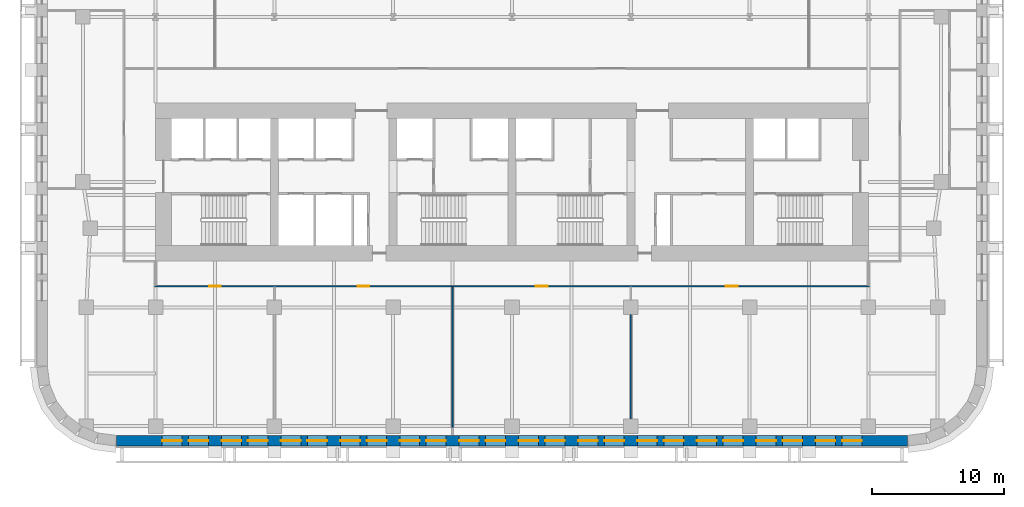
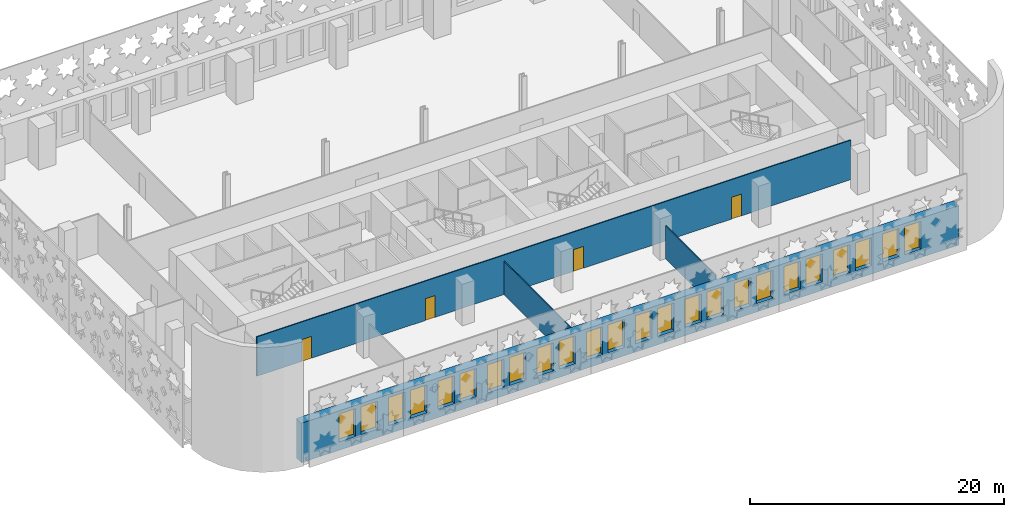
# One storey, part 4 of 13: 24 windows, 4 doors, 4 walls, 28 openings.
"""IFC4 building model written with IfcOpenShell, lengths in metres."""

from ifc_helpers import new_model, si_unit, direction, frame, frame_2d, origin, place, context, subcontext, project, spatial, rectangle, extrude, material, layer, layer_set, type_object, element, fill, save


model = new_model("IFC4")

# Units and contexts
model_context = context("Model", 3, precision=1e-05, world=origin(), true_north=direction((0.0, 1.0)))
body_context = subcontext(model_context, "Body", "Model", "MODEL_VIEW")
ifc_project = project(units=[si_unit("LENGTHUNIT", "METRE"), si_unit("AREAUNIT", "SQUARE_METRE"), si_unit("VOLUMEUNIT", "CUBIC_METRE"), si_unit("PLANEANGLEUNIT", "RADIAN"), si_unit("MASSUNIT", "GRAM", prefix="KILO")], contexts=[model_context])

# Site, building, storey
site_placement = place(None, origin())
site = spatial("IfcSite", under=ifc_project, at=site_placement, CompositionType="ELEMENT")
building_placement = place(site_placement, origin())
building = spatial("IfcBuilding", under=site, at=building_placement, Name="Zellij Exchange Tower", CompositionType="ELEMENT")
storey_placement = place(building_placement, frame((0.0, 0.0, 52.5)))
storey = spatial("IfcBuildingStorey", under=building, at=storey_placement, Name="L09", CompositionType="ELEMENT", Elevation=52.5)

# Wall, openings, windows
ifc_material_1 = material(Name="Precast concrete C40/50", Category="concrete")
ifc_layer_1 = layer(ifc_material_1, 0.800048828125)
ifc_layer_set_1 = layer_set([ifc_layer_1], Name="Precast concrete C40/50")
wall_type_1 = type_object("IfcWallType", Name="ENV-EW1 Precast stone-piered wall 800", PredefinedType="SOLIDWALL", material=ifc_layer_set_1)
wall_1_placement = place(storey_placement, frame((-29.947509765625, -27.60009765625, 0.0), z_axis=(0.0, 0.0, 1.0), x_axis=(1.0, 0.0, 0.0)))
wall_1 = element("IfcWall", 1, at=wall_1_placement, inside=storey, type_object=wall_type_1, Name="fac.L09.00", PredefinedType="SOLIDWALL", context=body_context, shape_type="SweptSolid", body=[
    extrude(rectangle(XDim=59.89501953125, YDim=0.800048828125, at=frame_2d((29.947509765625, 0.0))), origin(), (0.0, 0.0, 1.0), 3.800048828125),
])
opening_1_placement = place(wall_1_placement, frame((3.447509765625, 0.0, 0.800048828125)))
opening_1 = element("IfcOpeningElement", 2, at=opening_1_placement, cuts=wall_1, Name="Opening FZ1.01", PredefinedType="OPENING", context=body_context, shape_type="SweptSolid", body=[
    extrude(rectangle(XDim=1.5, YDim=2.699951171875, at=frame_2d((0.75, 1.35009765625))), frame((0.0, 0.412109375, 0.0), z_axis=(0.0, -1.0, 0.0), x_axis=(1.0, 0.0, 0.0)), (0.0, 0.0, 1.0), 0.823974609375),
])
opening_2_placement = place(wall_1_placement, frame((5.447509765625, 0.0, 0.800048828125)))
opening_2 = element("IfcOpeningElement", 3, at=opening_2_placement, cuts=wall_1, Name="Opening FZ1.02", PredefinedType="OPENING", context=body_context, shape_type="SweptSolid", body=[
    extrude(rectangle(XDim=1.5, YDim=2.699951171875, at=frame_2d((0.75, 1.35009765625))), frame((0.0, 0.412109375, 0.0), z_axis=(0.0, -1.0, 0.0), x_axis=(1.0, 0.0, 0.0)), (0.0, 0.0, 1.0), 0.823974609375),
])
opening_3_placement = place(wall_1_placement, frame((7.947509765625, 0.0, 0.800048828125)))
opening_3 = element("IfcOpeningElement", 4, at=opening_3_placement, cuts=wall_1, Name="Opening FZ1.03", PredefinedType="OPENING", context=body_context, shape_type="SweptSolid", body=[
    extrude(rectangle(XDim=1.5, YDim=2.699951171875, at=frame_2d((0.75, 1.35009765625))), frame((0.0, 0.412109375, 0.0), z_axis=(0.0, -1.0, 0.0), x_axis=(1.0, 0.0, 0.0)), (0.0, 0.0, 1.0), 0.823974609375),
])
opening_4_placement = place(wall_1_placement, frame((9.947509765625, 0.0, 0.800048828125)))
opening_4 = element("IfcOpeningElement", 5, at=opening_4_placement, cuts=wall_1, Name="Opening FZ1.04", PredefinedType="OPENING", context=body_context, shape_type="SweptSolid", body=[
    extrude(rectangle(XDim=1.5, YDim=2.699951171875, at=frame_2d((0.75, 1.35009765625))), frame((0.0, 0.412109375, 0.0), z_axis=(0.0, -1.0, 0.0), x_axis=(1.0, 0.0, 0.0)), (0.0, 0.0, 1.0), 0.823974609375),
])
opening_5_placement = place(wall_1_placement, frame((12.447509765625, 0.0, 0.800048828125)))
opening_5 = element("IfcOpeningElement", 6, at=opening_5_placement, cuts=wall_1, Name="Opening FZ1.05", PredefinedType="OPENING", context=body_context, shape_type="SweptSolid", body=[
    extrude(rectangle(XDim=1.5, YDim=2.699951171875, at=frame_2d((0.75, 1.35009765625))), frame((0.0, 0.412109375, 0.0), z_axis=(0.0, -1.0, 0.0), x_axis=(1.0, 0.0, 0.0)), (0.0, 0.0, 1.0), 0.823974609375),
])
opening_6_placement = place(wall_1_placement, frame((14.447509765625, 0.0, 0.800048828125)))
opening_6 = element("IfcOpeningElement", 7, at=opening_6_placement, cuts=wall_1, Name="Opening FZ1.06", PredefinedType="OPENING", context=body_context, shape_type="SweptSolid", body=[
    extrude(rectangle(XDim=1.5, YDim=2.699951171875, at=frame_2d((0.75, 1.35009765625))), frame((0.0, 0.412109375, 0.0), z_axis=(0.0, -1.0, 0.0), x_axis=(1.0, 0.0, 0.0)), (0.0, 0.0, 1.0), 0.823974609375),
])
opening_7_placement = place(wall_1_placement, frame((16.947509765625, 0.0, 0.800048828125)))
opening_7 = element("IfcOpeningElement", 8, at=opening_7_placement, cuts=wall_1, Name="Opening FZ1.07", PredefinedType="OPENING", context=body_context, shape_type="SweptSolid", body=[
    extrude(rectangle(XDim=1.5, YDim=2.699951171875, at=frame_2d((0.75, 1.35009765625))), frame((0.0, 0.412109375, 0.0), z_axis=(0.0, -1.0, 0.0), x_axis=(1.0, 0.0, 0.0)), (0.0, 0.0, 1.0), 0.823974609375),
])
opening_8_placement = place(wall_1_placement, frame((18.947509765625, 0.0, 0.800048828125)))
opening_8 = element("IfcOpeningElement", 9, at=opening_8_placement, cuts=wall_1, Name="Opening FZ1.08", PredefinedType="OPENING", context=body_context, shape_type="SweptSolid", body=[
    extrude(rectangle(XDim=1.5, YDim=2.699951171875, at=frame_2d((0.75, 1.35009765625))), frame((0.0, 0.412109375, 0.0), z_axis=(0.0, -1.0, 0.0), x_axis=(1.0, 0.0, 0.0)), (0.0, 0.0, 1.0), 0.823974609375),
])
opening_9_placement = place(wall_1_placement, frame((21.447509765625, 0.0, 0.800048828125)))
opening_9 = element("IfcOpeningElement", 10, at=opening_9_placement, cuts=wall_1, Name="Opening FZ1.09", PredefinedType="OPENING", context=body_context, shape_type="SweptSolid", body=[
    extrude(rectangle(XDim=1.5, YDim=2.699951171875, at=frame_2d((0.75, 1.35009765625))), frame((0.0, 0.412109375, 0.0), z_axis=(0.0, -1.0, 0.0), x_axis=(1.0, 0.0, 0.0)), (0.0, 0.0, 1.0), 0.823974609375),
])
opening_10_placement = place(wall_1_placement, frame((23.447509765625, 0.0, 0.800048828125)))
opening_10 = element("IfcOpeningElement", 11, at=opening_10_placement, cuts=wall_1, Name="Opening FZ1.10", PredefinedType="OPENING", context=body_context, shape_type="SweptSolid", body=[
    extrude(rectangle(XDim=1.5, YDim=2.699951171875, at=frame_2d((0.75, 1.35009765625))), frame((0.0, 0.412109375, 0.0), z_axis=(0.0, -1.0, 0.0), x_axis=(1.0, 0.0, 0.0)), (0.0, 0.0, 1.0), 0.823974609375),
])
opening_11_placement = place(wall_1_placement, frame((25.947509765625, 0.0, 0.800048828125)))
opening_11 = element("IfcOpeningElement", 12, at=opening_11_placement, cuts=wall_1, Name="Opening FZ1.11", PredefinedType="OPENING", context=body_context, shape_type="SweptSolid", body=[
    extrude(rectangle(XDim=1.5, YDim=2.699951171875, at=frame_2d((0.75, 1.35009765625))), frame((0.0, 0.412109375, 0.0), z_axis=(0.0, -1.0, 0.0), x_axis=(1.0, 0.0, 0.0)), (0.0, 0.0, 1.0), 0.823974609375),
])
opening_12_placement = place(wall_1_placement, frame((27.947509765625, 0.0, 0.800048828125)))
opening_12 = element("IfcOpeningElement", 13, at=opening_12_placement, cuts=wall_1, Name="Opening FZ1.12", PredefinedType="OPENING", context=body_context, shape_type="SweptSolid", body=[
    extrude(rectangle(XDim=1.5, YDim=2.699951171875, at=frame_2d((0.75, 1.35009765625))), frame((0.0, 0.412109375, 0.0), z_axis=(0.0, -1.0, 0.0), x_axis=(1.0, 0.0, 0.0)), (0.0, 0.0, 1.0), 0.823974609375),
])
opening_13_placement = place(wall_1_placement, frame((30.447509765625, 0.0, 0.800048828125)))
opening_13 = element("IfcOpeningElement", 14, at=opening_13_placement, cuts=wall_1, Name="Opening FZ1.13", PredefinedType="OPENING", context=body_context, shape_type="SweptSolid", body=[
    extrude(rectangle(XDim=1.5, YDim=2.699951171875, at=frame_2d((0.75, 1.35009765625))), frame((0.0, 0.412109375, 0.0), z_axis=(0.0, -1.0, 0.0), x_axis=(1.0, 0.0, 0.0)), (0.0, 0.0, 1.0), 0.823974609375),
])
opening_14_placement = place(wall_1_placement, frame((32.447509765625, 0.0, 0.800048828125)))
opening_14 = element("IfcOpeningElement", 15, at=opening_14_placement, cuts=wall_1, Name="Opening FZ1.14", PredefinedType="OPENING", context=body_context, shape_type="SweptSolid", body=[
    extrude(rectangle(XDim=1.5, YDim=2.699951171875, at=frame_2d((0.75, 1.35009765625))), frame((0.0, 0.412109375, 0.0), z_axis=(0.0, -1.0, 0.0), x_axis=(1.0, 0.0, 0.0)), (0.0, 0.0, 1.0), 0.823974609375),
])
opening_15_placement = place(wall_1_placement, frame((34.947509765625, 0.0, 0.800048828125)))
opening_15 = element("IfcOpeningElement", 16, at=opening_15_placement, cuts=wall_1, Name="Opening FZ1.15", PredefinedType="OPENING", context=body_context, shape_type="SweptSolid", body=[
    extrude(rectangle(XDim=1.5, YDim=2.699951171875, at=frame_2d((0.75, 1.35009765625))), frame((0.0, 0.412109375, 0.0), z_axis=(0.0, -1.0, 0.0), x_axis=(1.0, 0.0, 0.0)), (0.0, 0.0, 1.0), 0.823974609375),
])
opening_16_placement = place(wall_1_placement, frame((36.947509765625, 0.0, 0.800048828125)))
opening_16 = element("IfcOpeningElement", 17, at=opening_16_placement, cuts=wall_1, Name="Opening FZ1.16", PredefinedType="OPENING", context=body_context, shape_type="SweptSolid", body=[
    extrude(rectangle(XDim=1.5, YDim=2.699951171875, at=frame_2d((0.75, 1.35009765625))), frame((0.0, 0.412109375, 0.0), z_axis=(0.0, -1.0, 0.0), x_axis=(1.0, 0.0, 0.0)), (0.0, 0.0, 1.0), 0.823974609375),
])
opening_17_placement = place(wall_1_placement, frame((39.447509765625, 0.0, 0.800048828125)))
opening_17 = element("IfcOpeningElement", 18, at=opening_17_placement, cuts=wall_1, Name="Opening FZ1.17", PredefinedType="OPENING", context=body_context, shape_type="SweptSolid", body=[
    extrude(rectangle(XDim=1.5, YDim=2.699951171875, at=frame_2d((0.75, 1.35009765625))), frame((0.0, 0.412109375, 0.0), z_axis=(0.0, -1.0, 0.0), x_axis=(1.0, 0.0, 0.0)), (0.0, 0.0, 1.0), 0.823974609375),
])
opening_18_placement = place(wall_1_placement, frame((41.447509765625, 0.0, 0.800048828125)))
opening_18 = element("IfcOpeningElement", 19, at=opening_18_placement, cuts=wall_1, Name="Opening FZ1.18", PredefinedType="OPENING", context=body_context, shape_type="SweptSolid", body=[
    extrude(rectangle(XDim=1.5, YDim=2.699951171875, at=frame_2d((0.75, 1.35009765625))), frame((0.0, 0.412109375, 0.0), z_axis=(0.0, -1.0, 0.0), x_axis=(1.0, 0.0, 0.0)), (0.0, 0.0, 1.0), 0.823974609375),
])
opening_19_placement = place(wall_1_placement, frame((43.947509765625, 0.0, 0.800048828125)))
opening_19 = element("IfcOpeningElement", 20, at=opening_19_placement, cuts=wall_1, Name="Opening FZ1.19", PredefinedType="OPENING", context=body_context, shape_type="SweptSolid", body=[
    extrude(rectangle(XDim=1.5, YDim=2.699951171875, at=frame_2d((0.75, 1.35009765625))), frame((0.0, 0.412109375, 0.0), z_axis=(0.0, -1.0, 0.0), x_axis=(1.0, 0.0, 0.0)), (0.0, 0.0, 1.0), 0.823974609375),
])
opening_20_placement = place(wall_1_placement, frame((45.947509765625, 0.0, 0.800048828125)))
opening_20 = element("IfcOpeningElement", 21, at=opening_20_placement, cuts=wall_1, Name="Opening FZ1.20", PredefinedType="OPENING", context=body_context, shape_type="SweptSolid", body=[
    extrude(rectangle(XDim=1.5, YDim=2.699951171875, at=frame_2d((0.75, 1.35009765625))), frame((0.0, 0.412109375, 0.0), z_axis=(0.0, -1.0, 0.0), x_axis=(1.0, 0.0, 0.0)), (0.0, 0.0, 1.0), 0.823974609375),
])
opening_21_placement = place(wall_1_placement, frame((48.447509765625, 0.0, 0.800048828125)))
opening_21 = element("IfcOpeningElement", 22, at=opening_21_placement, cuts=wall_1, Name="Opening FZ1.21", PredefinedType="OPENING", context=body_context, shape_type="SweptSolid", body=[
    extrude(rectangle(XDim=1.5, YDim=2.699951171875, at=frame_2d((0.75, 1.35009765625))), frame((0.0, 0.412109375, 0.0), z_axis=(0.0, -1.0, 0.0), x_axis=(1.0, 0.0, 0.0)), (0.0, 0.0, 1.0), 0.823974609375),
])
opening_22_placement = place(wall_1_placement, frame((50.447509765625, 0.0, 0.800048828125)))
opening_22 = element("IfcOpeningElement", 23, at=opening_22_placement, cuts=wall_1, Name="Opening FZ1.22", PredefinedType="OPENING", context=body_context, shape_type="SweptSolid", body=[
    extrude(rectangle(XDim=1.5, YDim=2.699951171875, at=frame_2d((0.75, 1.35009765625))), frame((0.0, 0.412109375, 0.0), z_axis=(0.0, -1.0, 0.0), x_axis=(1.0, 0.0, 0.0)), (0.0, 0.0, 1.0), 0.823974609375),
])
opening_23_placement = place(wall_1_placement, frame((52.947509765625, 0.0, 0.800048828125)))
opening_23 = element("IfcOpeningElement", 24, at=opening_23_placement, cuts=wall_1, Name="Opening FZ1.23", PredefinedType="OPENING", context=body_context, shape_type="SweptSolid", body=[
    extrude(rectangle(XDim=1.5, YDim=2.699951171875, at=frame_2d((0.75, 1.35009765625))), frame((0.0, 0.412109375, 0.0), z_axis=(0.0, -1.0, 0.0), x_axis=(1.0, 0.0, 0.0)), (0.0, 0.0, 1.0), 0.823974609375),
])
opening_24_placement = place(wall_1_placement, frame((54.947509765625, 0.0, 0.800048828125)))
opening_24 = element("IfcOpeningElement", 25, at=opening_24_placement, cuts=wall_1, Name="Opening FZ1.24", PredefinedType="OPENING", context=body_context, shape_type="SweptSolid", body=[
    extrude(rectangle(XDim=1.5, YDim=2.699951171875, at=frame_2d((0.75, 1.35009765625))), frame((0.0, 0.412109375, 0.0), z_axis=(0.0, -1.0, 0.0), x_axis=(1.0, 0.0, 0.0)), (0.0, 0.0, 1.0), 0.823974609375),
])
ifc_material_2 = material(Name="Aluminium frame with insulating glass", Category="aluminium")
window_type = type_object("IfcWindowType", Name="ENV-W6 Window 1500x2700", PartitioningType="SINGLE_PANEL", PredefinedType="WINDOW", material=ifc_material_2)
window_1_placement = place(opening_1_placement, origin())
window_1 = element("IfcWindow", 26, at=window_1_placement, inside=storey, type_object=window_type, Name="Window FZ1.01", OverallHeight=2.699951171875, OverallWidth=1.5, PartitioningType="SINGLE_PANEL", PredefinedType="WINDOW", context=body_context, shape_type="SweptSolid", body=[
    extrude(rectangle(XDim=1.5, YDim=2.699951171875, at=frame_2d((0.75, 1.35009765625))), frame((0.0, 0.030029296875, 0.0), z_axis=(0.0, -1.0, 0.0), x_axis=(1.0, 0.0, 0.0)), (0.0, 0.0, 1.0), 0.06005859375),
])
fill(opening_1, window_1)
window_2_placement = place(opening_2_placement, origin())
window_2 = element("IfcWindow", 27, at=window_2_placement, inside=storey, type_object=window_type, Name="Window FZ1.02", OverallHeight=2.699951171875, OverallWidth=1.5, PartitioningType="SINGLE_PANEL", PredefinedType="WINDOW", context=body_context, shape_type="SweptSolid", body=[
    extrude(rectangle(XDim=1.5, YDim=2.699951171875, at=frame_2d((0.75, 1.35009765625))), frame((0.0, 0.030029296875, 0.0), z_axis=(0.0, -1.0, 0.0), x_axis=(1.0, 0.0, 0.0)), (0.0, 0.0, 1.0), 0.06005859375),
])
fill(opening_2, window_2)
window_3_placement = place(opening_3_placement, origin())
window_3 = element("IfcWindow", 28, at=window_3_placement, inside=storey, type_object=window_type, Name="Window FZ1.03", OverallHeight=2.699951171875, OverallWidth=1.5, PartitioningType="SINGLE_PANEL", PredefinedType="WINDOW", context=body_context, shape_type="SweptSolid", body=[
    extrude(rectangle(XDim=1.5, YDim=2.699951171875, at=frame_2d((0.75, 1.35009765625))), frame((0.0, 0.030029296875, 0.0), z_axis=(0.0, -1.0, 0.0), x_axis=(1.0, 0.0, 0.0)), (0.0, 0.0, 1.0), 0.06005859375),
])
fill(opening_3, window_3)
window_4_placement = place(opening_4_placement, origin())
window_4 = element("IfcWindow", 29, at=window_4_placement, inside=storey, type_object=window_type, Name="Window FZ1.04", OverallHeight=2.699951171875, OverallWidth=1.5, PartitioningType="SINGLE_PANEL", PredefinedType="WINDOW", context=body_context, shape_type="SweptSolid", body=[
    extrude(rectangle(XDim=1.5, YDim=2.699951171875, at=frame_2d((0.75, 1.35009765625))), frame((0.0, 0.030029296875, 0.0), z_axis=(0.0, -1.0, 0.0), x_axis=(1.0, 0.0, 0.0)), (0.0, 0.0, 1.0), 0.06005859375),
])
fill(opening_4, window_4)
window_5_placement = place(opening_5_placement, origin())
window_5 = element("IfcWindow", 30, at=window_5_placement, inside=storey, type_object=window_type, Name="Window FZ1.05", OverallHeight=2.699951171875, OverallWidth=1.5, PartitioningType="SINGLE_PANEL", PredefinedType="WINDOW", context=body_context, shape_type="SweptSolid", body=[
    extrude(rectangle(XDim=1.5, YDim=2.699951171875, at=frame_2d((0.75, 1.35009765625))), frame((0.0, 0.030029296875, 0.0), z_axis=(0.0, -1.0, 0.0), x_axis=(1.0, 0.0, 0.0)), (0.0, 0.0, 1.0), 0.06005859375),
])
fill(opening_5, window_5)
window_6_placement = place(opening_6_placement, origin())
window_6 = element("IfcWindow", 31, at=window_6_placement, inside=storey, type_object=window_type, Name="Window FZ1.06", OverallHeight=2.699951171875, OverallWidth=1.5, PartitioningType="SINGLE_PANEL", PredefinedType="WINDOW", context=body_context, shape_type="SweptSolid", body=[
    extrude(rectangle(XDim=1.5, YDim=2.699951171875, at=frame_2d((0.75, 1.35009765625))), frame((0.0, 0.030029296875, 0.0), z_axis=(0.0, -1.0, 0.0), x_axis=(1.0, 0.0, 0.0)), (0.0, 0.0, 1.0), 0.06005859375),
])
fill(opening_6, window_6)
window_7_placement = place(opening_7_placement, origin())
window_7 = element("IfcWindow", 32, at=window_7_placement, inside=storey, type_object=window_type, Name="Window FZ1.07", OverallHeight=2.699951171875, OverallWidth=1.5, PartitioningType="SINGLE_PANEL", PredefinedType="WINDOW", context=body_context, shape_type="SweptSolid", body=[
    extrude(rectangle(XDim=1.5, YDim=2.699951171875, at=frame_2d((0.75, 1.35009765625))), frame((0.0, 0.030029296875, 0.0), z_axis=(0.0, -1.0, 0.0), x_axis=(1.0, 0.0, 0.0)), (0.0, 0.0, 1.0), 0.06005859375),
])
fill(opening_7, window_7)
window_8_placement = place(opening_8_placement, origin())
window_8 = element("IfcWindow", 33, at=window_8_placement, inside=storey, type_object=window_type, Name="Window FZ1.08", OverallHeight=2.699951171875, OverallWidth=1.5, PartitioningType="SINGLE_PANEL", PredefinedType="WINDOW", context=body_context, shape_type="SweptSolid", body=[
    extrude(rectangle(XDim=1.5, YDim=2.699951171875, at=frame_2d((0.75, 1.35009765625))), frame((0.0, 0.030029296875, 0.0), z_axis=(0.0, -1.0, 0.0), x_axis=(1.0, 0.0, 0.0)), (0.0, 0.0, 1.0), 0.06005859375),
])
fill(opening_8, window_8)
window_9_placement = place(opening_9_placement, origin())
window_9 = element("IfcWindow", 34, at=window_9_placement, inside=storey, type_object=window_type, Name="Window FZ1.09", OverallHeight=2.699951171875, OverallWidth=1.5, PartitioningType="SINGLE_PANEL", PredefinedType="WINDOW", context=body_context, shape_type="SweptSolid", body=[
    extrude(rectangle(XDim=1.5, YDim=2.699951171875, at=frame_2d((0.75, 1.35009765625))), frame((0.0, 0.030029296875, 0.0), z_axis=(0.0, -1.0, 0.0), x_axis=(1.0, 0.0, 0.0)), (0.0, 0.0, 1.0), 0.06005859375),
])
fill(opening_9, window_9)
window_10_placement = place(opening_10_placement, origin())
window_10 = element("IfcWindow", 35, at=window_10_placement, inside=storey, type_object=window_type, Name="Window FZ1.10", OverallHeight=2.699951171875, OverallWidth=1.5, PartitioningType="SINGLE_PANEL", PredefinedType="WINDOW", context=body_context, shape_type="SweptSolid", body=[
    extrude(rectangle(XDim=1.5, YDim=2.699951171875, at=frame_2d((0.75, 1.35009765625))), frame((0.0, 0.030029296875, 0.0), z_axis=(0.0, -1.0, 0.0), x_axis=(1.0, 0.0, 0.0)), (0.0, 0.0, 1.0), 0.06005859375),
])
fill(opening_10, window_10)
window_11_placement = place(opening_11_placement, origin())
window_11 = element("IfcWindow", 36, at=window_11_placement, inside=storey, type_object=window_type, Name="Window FZ1.11", OverallHeight=2.699951171875, OverallWidth=1.5, PartitioningType="SINGLE_PANEL", PredefinedType="WINDOW", context=body_context, shape_type="SweptSolid", body=[
    extrude(rectangle(XDim=1.5, YDim=2.699951171875, at=frame_2d((0.75, 1.35009765625))), frame((0.0, 0.030029296875, 0.0), z_axis=(0.0, -1.0, 0.0), x_axis=(1.0, 0.0, 0.0)), (0.0, 0.0, 1.0), 0.06005859375),
])
fill(opening_11, window_11)
window_12_placement = place(opening_12_placement, origin())
window_12 = element("IfcWindow", 37, at=window_12_placement, inside=storey, type_object=window_type, Name="Window FZ1.12", OverallHeight=2.699951171875, OverallWidth=1.5, PartitioningType="SINGLE_PANEL", PredefinedType="WINDOW", context=body_context, shape_type="SweptSolid", body=[
    extrude(rectangle(XDim=1.5, YDim=2.699951171875, at=frame_2d((0.75, 1.35009765625))), frame((0.0, 0.030029296875, 0.0), z_axis=(0.0, -1.0, 0.0), x_axis=(1.0, 0.0, 0.0)), (0.0, 0.0, 1.0), 0.06005859375),
])
fill(opening_12, window_12)
window_13_placement = place(opening_13_placement, origin())
window_13 = element("IfcWindow", 38, at=window_13_placement, inside=storey, type_object=window_type, Name="Window FZ1.13", OverallHeight=2.699951171875, OverallWidth=1.5, PartitioningType="SINGLE_PANEL", PredefinedType="WINDOW", context=body_context, shape_type="SweptSolid", body=[
    extrude(rectangle(XDim=1.5, YDim=2.699951171875, at=frame_2d((0.75, 1.35009765625))), frame((0.0, 0.030029296875, 0.0), z_axis=(0.0, -1.0, 0.0), x_axis=(1.0, 0.0, 0.0)), (0.0, 0.0, 1.0), 0.06005859375),
])
fill(opening_13, window_13)
window_14_placement = place(opening_14_placement, origin())
window_14 = element("IfcWindow", 39, at=window_14_placement, inside=storey, type_object=window_type, Name="Window FZ1.14", OverallHeight=2.699951171875, OverallWidth=1.5, PartitioningType="SINGLE_PANEL", PredefinedType="WINDOW", context=body_context, shape_type="SweptSolid", body=[
    extrude(rectangle(XDim=1.5, YDim=2.699951171875, at=frame_2d((0.75, 1.35009765625))), frame((0.0, 0.030029296875, 0.0), z_axis=(0.0, -1.0, 0.0), x_axis=(1.0, 0.0, 0.0)), (0.0, 0.0, 1.0), 0.06005859375),
])
fill(opening_14, window_14)
window_15_placement = place(opening_15_placement, origin())
window_15 = element("IfcWindow", 40, at=window_15_placement, inside=storey, type_object=window_type, Name="Window FZ1.15", OverallHeight=2.699951171875, OverallWidth=1.5, PartitioningType="SINGLE_PANEL", PredefinedType="WINDOW", context=body_context, shape_type="SweptSolid", body=[
    extrude(rectangle(XDim=1.5, YDim=2.699951171875, at=frame_2d((0.75, 1.35009765625))), frame((0.0, 0.030029296875, 0.0), z_axis=(0.0, -1.0, 0.0), x_axis=(1.0, 0.0, 0.0)), (0.0, 0.0, 1.0), 0.06005859375),
])
fill(opening_15, window_15)
window_16_placement = place(opening_16_placement, origin())
window_16 = element("IfcWindow", 41, at=window_16_placement, inside=storey, type_object=window_type, Name="Window FZ1.16", OverallHeight=2.699951171875, OverallWidth=1.5, PartitioningType="SINGLE_PANEL", PredefinedType="WINDOW", context=body_context, shape_type="SweptSolid", body=[
    extrude(rectangle(XDim=1.5, YDim=2.699951171875, at=frame_2d((0.75, 1.35009765625))), frame((0.0, 0.030029296875, 0.0), z_axis=(0.0, -1.0, 0.0), x_axis=(1.0, 0.0, 0.0)), (0.0, 0.0, 1.0), 0.06005859375),
])
fill(opening_16, window_16)
window_17_placement = place(opening_17_placement, origin())
window_17 = element("IfcWindow", 42, at=window_17_placement, inside=storey, type_object=window_type, Name="Window FZ1.17", OverallHeight=2.699951171875, OverallWidth=1.5, PartitioningType="SINGLE_PANEL", PredefinedType="WINDOW", context=body_context, shape_type="SweptSolid", body=[
    extrude(rectangle(XDim=1.5, YDim=2.699951171875, at=frame_2d((0.75, 1.35009765625))), frame((0.0, 0.030029296875, 0.0), z_axis=(0.0, -1.0, 0.0), x_axis=(1.0, 0.0, 0.0)), (0.0, 0.0, 1.0), 0.06005859375),
])
fill(opening_17, window_17)
window_18_placement = place(opening_18_placement, origin())
window_18 = element("IfcWindow", 43, at=window_18_placement, inside=storey, type_object=window_type, Name="Window FZ1.18", OverallHeight=2.699951171875, OverallWidth=1.5, PartitioningType="SINGLE_PANEL", PredefinedType="WINDOW", context=body_context, shape_type="SweptSolid", body=[
    extrude(rectangle(XDim=1.5, YDim=2.699951171875, at=frame_2d((0.75, 1.35009765625))), frame((0.0, 0.030029296875, 0.0), z_axis=(0.0, -1.0, 0.0), x_axis=(1.0, 0.0, 0.0)), (0.0, 0.0, 1.0), 0.06005859375),
])
fill(opening_18, window_18)
window_19_placement = place(opening_19_placement, origin())
window_19 = element("IfcWindow", 44, at=window_19_placement, inside=storey, type_object=window_type, Name="Window FZ1.19", OverallHeight=2.699951171875, OverallWidth=1.5, PartitioningType="SINGLE_PANEL", PredefinedType="WINDOW", context=body_context, shape_type="SweptSolid", body=[
    extrude(rectangle(XDim=1.5, YDim=2.699951171875, at=frame_2d((0.75, 1.35009765625))), frame((0.0, 0.030029296875, 0.0), z_axis=(0.0, -1.0, 0.0), x_axis=(1.0, 0.0, 0.0)), (0.0, 0.0, 1.0), 0.06005859375),
])
fill(opening_19, window_19)
window_20_placement = place(opening_20_placement, origin())
window_20 = element("IfcWindow", 45, at=window_20_placement, inside=storey, type_object=window_type, Name="Window FZ1.20", OverallHeight=2.699951171875, OverallWidth=1.5, PartitioningType="SINGLE_PANEL", PredefinedType="WINDOW", context=body_context, shape_type="SweptSolid", body=[
    extrude(rectangle(XDim=1.5, YDim=2.699951171875, at=frame_2d((0.75, 1.35009765625))), frame((0.0, 0.030029296875, 0.0), z_axis=(0.0, -1.0, 0.0), x_axis=(1.0, 0.0, 0.0)), (0.0, 0.0, 1.0), 0.06005859375),
])
fill(opening_20, window_20)
window_21_placement = place(opening_21_placement, origin())
window_21 = element("IfcWindow", 46, at=window_21_placement, inside=storey, type_object=window_type, Name="Window FZ1.21", OverallHeight=2.699951171875, OverallWidth=1.5, PartitioningType="SINGLE_PANEL", PredefinedType="WINDOW", context=body_context, shape_type="SweptSolid", body=[
    extrude(rectangle(XDim=1.5, YDim=2.699951171875, at=frame_2d((0.75, 1.35009765625))), frame((0.0, 0.030029296875, 0.0), z_axis=(0.0, -1.0, 0.0), x_axis=(1.0, 0.0, 0.0)), (0.0, 0.0, 1.0), 0.06005859375),
])
fill(opening_21, window_21)
window_22_placement = place(opening_22_placement, origin())
window_22 = element("IfcWindow", 47, at=window_22_placement, inside=storey, type_object=window_type, Name="Window FZ1.22", OverallHeight=2.699951171875, OverallWidth=1.5, PartitioningType="SINGLE_PANEL", PredefinedType="WINDOW", context=body_context, shape_type="SweptSolid", body=[
    extrude(rectangle(XDim=1.5, YDim=2.699951171875, at=frame_2d((0.75, 1.35009765625))), frame((0.0, 0.030029296875, 0.0), z_axis=(0.0, -1.0, 0.0), x_axis=(1.0, 0.0, 0.0)), (0.0, 0.0, 1.0), 0.06005859375),
])
fill(opening_22, window_22)
window_23_placement = place(opening_23_placement, origin())
window_23 = element("IfcWindow", 48, at=window_23_placement, inside=storey, type_object=window_type, Name="Window FZ1.23", OverallHeight=2.699951171875, OverallWidth=1.5, PartitioningType="SINGLE_PANEL", PredefinedType="WINDOW", context=body_context, shape_type="SweptSolid", body=[
    extrude(rectangle(XDim=1.5, YDim=2.699951171875, at=frame_2d((0.75, 1.35009765625))), frame((0.0, 0.030029296875, 0.0), z_axis=(0.0, -1.0, 0.0), x_axis=(1.0, 0.0, 0.0)), (0.0, 0.0, 1.0), 0.06005859375),
])
fill(opening_23, window_23)
window_24_placement = place(opening_24_placement, origin())
window_24 = element("IfcWindow", 49, at=window_24_placement, inside=storey, type_object=window_type, Name="Window FZ1.24", OverallHeight=2.699951171875, OverallWidth=1.5, PartitioningType="SINGLE_PANEL", PredefinedType="WINDOW", context=body_context, shape_type="SweptSolid", body=[
    extrude(rectangle(XDim=1.5, YDim=2.699951171875, at=frame_2d((0.75, 1.35009765625))), frame((0.0, 0.030029296875, 0.0), z_axis=(0.0, -1.0, 0.0), x_axis=(1.0, 0.0, 0.0)), (0.0, 0.0, 1.0), 0.06005859375),
])
fill(opening_24, window_24)

# Walls
ifc_material_3 = material(Name="Gypsum board partition on steel studs", Category="steel")
ifc_layer_2 = layer(ifc_material_3, 0.10009765625)
ifc_layer_set_2 = layer_set([ifc_layer_2], Name="Gypsum board partition on steel studs")
wall_type_2 = type_object("IfcWallType", Name="FIT-PARTITION-100", PredefinedType="PARTITIONING", material=ifc_layer_set_2)
wall_2_placement = place(storey_placement, frame((-4.5, -26.614501953125, 0.0), z_axis=(0.0, 0.0, 1.0), x_axis=(0.0, 1.0, 0.0)))
element("IfcWall", 50, at=wall_2_placement, inside=storey, type_object=wall_type_2, Name="FIT-PARTITION-100 004", PredefinedType="PARTITIONING", context=body_context, shape_type="SweptSolid", body=[
    extrude(rectangle(XDim=10.66455078125, YDim=0.10009765625, at=frame_2d((5.332275390625, 0.0))), origin(), (0.0, 0.0, 1.0), 3.197998046875),
])
wall_3_placement = place(storey_placement, frame((9.0, -25.949951171875, 0.0), z_axis=(0.0, 0.0, 1.0), x_axis=(0.0, 1.0, 0.0)))
element("IfcWall", 51, at=wall_3_placement, inside=storey, type_object=wall_type_2, Name="FIT-PARTITION-100 005", PredefinedType="PARTITIONING", context=body_context, shape_type="SweptSolid", body=[
    extrude(rectangle(XDim=7.89990234375, YDim=0.10009765625, at=frame_2d((3.949951171875, 0.0))), origin(), (0.0, 0.0, 1.0), 3.18798828125),
])

# Wall, openings, doors
wall_4_placement = place(storey_placement, frame((-27.050048828125, -15.89990234375, 0.0), z_axis=(0.0, 0.0, 1.0), x_axis=(1.0, 0.0, 0.0)))
wall_4 = element("IfcWall", 52, at=wall_4_placement, inside=storey, type_object=wall_type_2, Name="FIT-PARTITION-100 007", PredefinedType="PARTITIONING", context=body_context, shape_type="SweptSolid", body=[
    extrude(rectangle(XDim=54.10009765625, YDim=0.10009765625, at=frame_2d((27.050048828125, 0.0))), origin(), (0.0, 0.0, 1.0), 3.800048828125),
])
opening_25_placement = place(wall_4_placement, frame((4.10009765625, 0.0, 0.0)))
opening_25 = element("IfcOpeningElement", 53, at=opening_25_placement, cuts=wall_4, Name="Opening TA.01", PredefinedType="OPENING", context=body_context, shape_type="SweptSolid", body=[
    extrude(rectangle(XDim=0.89990234375, YDim=2.10009765625, at=frame_2d((0.449951171875, 1.050048828125))), frame((0.0, 0.06201171875, 0.0), z_axis=(0.0, -1.0, 0.0), x_axis=(1.0, 0.0, 0.0)), (0.0, 0.0, 1.0), 0.1240234375),
])
opening_26_placement = place(wall_4_placement, frame((15.35009765625, 0.0, 0.0)))
opening_26 = element("IfcOpeningElement", 54, at=opening_26_placement, cuts=wall_4, Name="Opening TA.02", PredefinedType="OPENING", context=body_context, shape_type="SweptSolid", body=[
    extrude(rectangle(XDim=0.89990234375, YDim=2.10009765625, at=frame_2d((0.449951171875, 1.050048828125))), frame((0.0, 0.06201171875, 0.0), z_axis=(0.0, -1.0, 0.0), x_axis=(1.0, 0.0, 0.0)), (0.0, 0.0, 1.0), 0.1240234375),
])
opening_27_placement = place(wall_4_placement, frame((28.85009765625, 0.0, 0.0)))
opening_27 = element("IfcOpeningElement", 55, at=opening_27_placement, cuts=wall_4, Name="Opening TA.03", PredefinedType="OPENING", context=body_context, shape_type="SweptSolid", body=[
    extrude(rectangle(XDim=0.89990234375, YDim=2.10009765625, at=frame_2d((0.449951171875, 1.050048828125))), frame((0.0, 0.06201171875, 0.0), z_axis=(0.0, -1.0, 0.0), x_axis=(1.0, 0.0, 0.0)), (0.0, 0.0, 1.0), 0.1240234375),
])
opening_28_placement = place(wall_4_placement, frame((43.25, 0.0, 0.0)))
opening_28 = element("IfcOpeningElement", 56, at=opening_28_placement, cuts=wall_4, Name="Opening TA.04", PredefinedType="OPENING", context=body_context, shape_type="SweptSolid", body=[
    extrude(rectangle(XDim=0.89990234375, YDim=2.10009765625, at=frame_2d((0.449951171875, 1.050048828125))), frame((0.0, 0.06201171875, 0.0), z_axis=(0.0, -1.0, 0.0), x_axis=(1.0, 0.0, 0.0)), (0.0, 0.0, 1.0), 0.1240234375),
])
ifc_material_4 = material(Name="Timber door set", Category="wood")
door_type = type_object("IfcDoorType", Name="FIT-D1-ROOM-900X2100", OperationType="SINGLE_SWING_LEFT", PredefinedType="DOOR", material=ifc_material_4)
door_1_placement = place(opening_25_placement, origin())
door_1 = element("IfcDoor", 57, at=door_1_placement, inside=storey, type_object=door_type, Name="Door TA.01", OperationType="SINGLE_SWING_LEFT", OverallHeight=2.10009765625, OverallWidth=0.89990234375, PredefinedType="DOOR", context=body_context, shape_type="SweptSolid", body=[
    extrude(rectangle(XDim=0.89990234375, YDim=2.10009765625, at=frame_2d((0.449951171875, 1.050048828125))), frame((0.0, 0.02490234375, 0.0), z_axis=(0.0, -1.0, 0.0), x_axis=(1.0, 0.0, 0.0)), (0.0, 0.0, 1.0), 0.050048828125),
])
fill(opening_25, door_1)
door_2_placement = place(opening_26_placement, origin())
door_2 = element("IfcDoor", 58, at=door_2_placement, inside=storey, type_object=door_type, Name="Door TA.02", OperationType="SINGLE_SWING_LEFT", OverallHeight=2.10009765625, OverallWidth=0.89990234375, PredefinedType="DOOR", context=body_context, shape_type="SweptSolid", body=[
    extrude(rectangle(XDim=0.89990234375, YDim=2.10009765625, at=frame_2d((0.449951171875, 1.050048828125))), frame((0.0, 0.02490234375, 0.0), z_axis=(0.0, -1.0, 0.0), x_axis=(1.0, 0.0, 0.0)), (0.0, 0.0, 1.0), 0.050048828125),
])
fill(opening_26, door_2)
door_3_placement = place(opening_27_placement, origin())
door_3 = element("IfcDoor", 59, at=door_3_placement, inside=storey, type_object=door_type, Name="Door TA.03", OperationType="SINGLE_SWING_LEFT", OverallHeight=2.10009765625, OverallWidth=0.89990234375, PredefinedType="DOOR", context=body_context, shape_type="SweptSolid", body=[
    extrude(rectangle(XDim=0.89990234375, YDim=2.10009765625, at=frame_2d((0.449951171875, 1.050048828125))), frame((0.0, 0.02490234375, 0.0), z_axis=(0.0, -1.0, 0.0), x_axis=(1.0, 0.0, 0.0)), (0.0, 0.0, 1.0), 0.050048828125),
])
fill(opening_27, door_3)
door_4_placement = place(opening_28_placement, origin())
door_4 = element("IfcDoor", 60, at=door_4_placement, inside=storey, type_object=door_type, Name="Door TA.04", OperationType="SINGLE_SWING_LEFT", OverallHeight=2.10009765625, OverallWidth=0.89990234375, PredefinedType="DOOR", context=body_context, shape_type="SweptSolid", body=[
    extrude(rectangle(XDim=0.89990234375, YDim=2.10009765625, at=frame_2d((0.449951171875, 1.050048828125))), frame((0.0, 0.02490234375, 0.0), z_axis=(0.0, -1.0, 0.0), x_axis=(1.0, 0.0, 0.0)), (0.0, 0.0, 1.0), 0.050048828125),
])
fill(opening_28, door_4)

save(model, "model.ifc")
